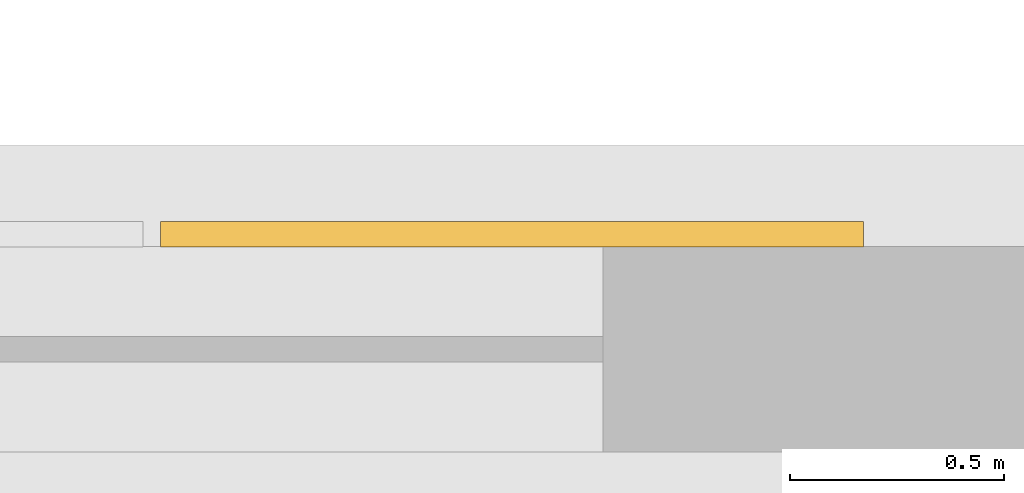
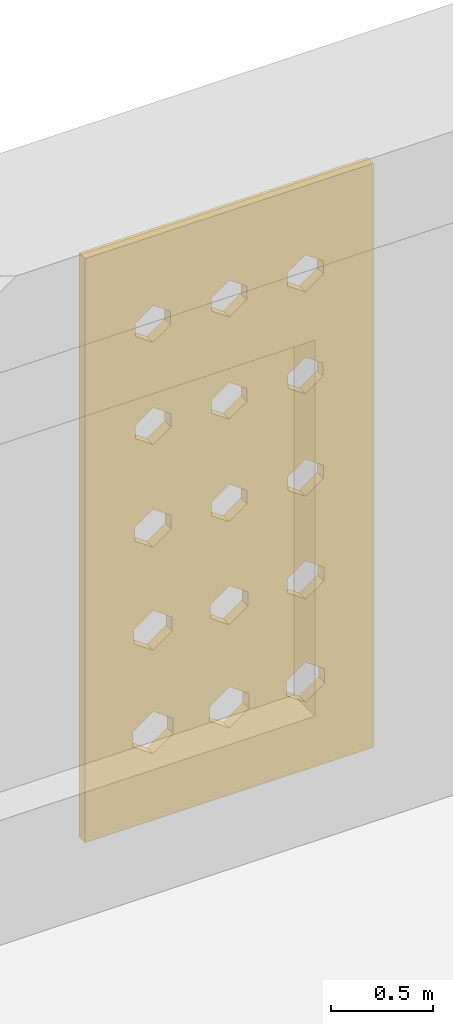
# One storey, part 120 of 121: 1 covering.
"""IFC4 building model written with IfcOpenShell, lengths in metres."""

from ifc_helpers import new_model, si_unit, derived_unit, direction, frame, origin, place, context, subcontext, project, spatial, polyline, outline, extrude, material, layer, layer_set, type_object, element, save


model = new_model("IFC4")

# Units and contexts
model_context = context("Model", 3, precision=1e-05, world=origin(), true_north=direction((0.0, 1.0)))
body_context = subcontext(model_context, "Body", "Model", "MODEL_VIEW")
ifc_project = project(units=[si_unit("LENGTHUNIT", "METRE"), si_unit("AREAUNIT", "SQUARE_METRE"), si_unit("VOLUMEUNIT", "CUBIC_METRE"), si_unit("PLANEANGLEUNIT", "RADIAN"), si_unit("MASSUNIT", "GRAM", prefix="KILO"), derived_unit("THERMALTRANSMITTANCEUNIT", [(si_unit("POWERUNIT", "WATT"), 1), (si_unit("LENGTHUNIT", "METRE"), -2), (si_unit("THERMODYNAMICTEMPERATUREUNIT", "KELVIN"), -1)])], contexts=[model_context])

# Site, building, storey
site_placement = place(None, origin())
site = spatial("IfcSite", under=ifc_project, at=site_placement, CompositionType="ELEMENT")
building_placement = place(site_placement, origin())
building = spatial("IfcBuilding", under=site, at=building_placement, Name="Veybourne Emporium", CompositionType="ELEMENT")
storey_placement = place(building_placement, frame((0.0, 0.0, 5.39990234375)))
storey = spatial("IfcBuildingStorey", under=building, at=storey_placement, Name="L01", CompositionType="ELEMENT", Elevation=5.39990234375)

# Covering
ifc_material = material(Name="Warm-White Perforated Aluminium Screen Alloy", Category="aluminium")
ifc_layer = layer(ifc_material, 0.06005859375)
ifc_layer_set = layer_set([ifc_layer], Name="Warm-White Perforated Aluminium Screen Alloy")
covering_type = type_object("IfcCoveringType", Name="WaveScreen_SCR-02", PredefinedType="CLADDING", material=ifc_layer_set)
covering_placement = place(storey_placement, frame((166.3076171875, 21.89794921875, 1.815185546875), z_axis=(0.0, -1.0, 0.0), x_axis=(1.0, 0.0, 0.0)))
element("IfcCovering", 1, at=covering_placement, inside=storey, type_object=covering_type, Name="L01 wave-perforated aluminium screen SCR-02 (80.4)", PredefinedType="CLADDING", context=body_context, shape_type="SweptSolid", body=[
    extrude(outline(polyline([(-0.81982421875, -1.7548828125), (0.81982421875, -1.7548828125), (0.81982421875, 1.7548828125), (-0.81982421875, 1.7548828125), (-0.81982421875, -1.7548828125)]), holes=[polyline([(-0.433349609375, -1.100830078125), (-0.319091796875, -1.18212890625), (-0.319091796875, -1.273681640625), (-0.433349609375, -1.355224609375), (-0.54736328125, -1.273681640625), (-0.54736328125, -1.18212890625), (-0.433349609375, -1.100830078125)]), polyline([(-0.433349609375, -0.494384765625), (-0.325439453125, -0.571044921875), (-0.325439453125, -0.656982421875), (-0.433349609375, -0.733642578125), (-0.541259765625, -0.656982421875), (-0.541259765625, -0.571044921875), (-0.433349609375, -0.494384765625)]), polyline([(-0.433349609375, 0.114013671875), (-0.330078125, 0.041015625), (-0.330078125, -0.041015625), (-0.433349609375, -0.114013671875), (-0.53662109375, -0.041015625), (-0.53662109375, 0.041015625), (-0.433349609375, 0.114013671875)]), polyline([(-0.433349609375, 0.724853515625), (-0.33251953125, 0.65380859375), (-0.33251953125, 0.57421875), (-0.433349609375, 0.503173828125), (-0.533935546875, 0.57421875), (-0.533935546875, 0.65380859375), (-0.433349609375, 0.724853515625)]), polyline([(-0.433349609375, 1.337890625), (-0.333251953125, 1.267578125), (-0.333251953125, 1.1884765625), (-0.433349609375, 1.117919921875), (-0.533447265625, 1.1884765625), (-0.533447265625, 1.267578125), (-0.433349609375, 1.337890625)]), polyline([(0.0, -1.1044921875), (0.111083984375, -1.18359375), (0.111083984375, -1.2724609375), (0.0, -1.3515625), (-0.111083984375, -1.2724609375), (-0.111083984375, -1.18359375), (0.0, -1.1044921875)]), polyline([(0.0, -0.497314453125), (0.105712890625, -0.572021484375), (0.105712890625, -0.656005859375), (0.0, -0.730712890625), (-0.105712890625, -0.656005859375), (-0.105712890625, -0.572021484375), (0.0, -0.497314453125)]), polyline([(0.0, 0.1123046875), (0.101806640625, 0.040283203125), (0.101806640625, -0.040283203125), (0.0, -0.1123046875), (-0.101806640625, -0.040283203125), (-0.101806640625, 0.040283203125), (0.0, 0.1123046875)]), polyline([(0.0, 0.72412109375), (0.10009765625, 0.65380859375), (0.10009765625, 0.57421875), (0.0, 0.50390625), (-0.10009765625, 0.57421875), (-0.10009765625, 0.65380859375), (0.0, 0.72412109375)]), polyline([(0.0, 1.33837890625), (0.100341796875, 1.267822265625), (0.100341796875, 1.188232421875), (0.0, 1.117431640625), (-0.100341796875, 1.188232421875), (-0.100341796875, 1.267822265625), (0.0, 1.33837890625)]), polyline([(0.433349609375, -1.10791015625), (0.541748046875, -1.184814453125), (0.541748046875, -1.271240234375), (0.433349609375, -1.34814453125), (0.324951171875, -1.271240234375), (0.324951171875, -1.184814453125), (0.433349609375, -1.10791015625)]), polyline([(0.433349609375, -0.49951171875), (0.537109375, -0.57275390625), (0.537109375, -0.6552734375), (0.433349609375, -0.728515625), (0.32958984375, -0.6552734375), (0.32958984375, -0.57275390625), (0.433349609375, -0.49951171875)]), polyline([(0.433349609375, 0.111083984375), (0.5341796875, 0.0400390625), (0.5341796875, -0.0400390625), (0.433349609375, -0.111083984375), (0.33251953125, -0.0400390625), (0.33251953125, 0.0400390625), (0.433349609375, 0.111083984375)]), polyline([(0.433349609375, 0.72412109375), (0.533203125, 0.653564453125), (0.533203125, 0.574462890625), (0.433349609375, 0.50390625), (0.333251953125, 0.574462890625), (0.333251953125, 0.653564453125), (0.433349609375, 0.72412109375)]), polyline([(0.433349609375, 1.33935546875), (0.534423828125, 1.26806640625), (0.534423828125, 1.18798828125), (0.433349609375, 1.11669921875), (0.332275390625, 1.18798828125), (0.332275390625, 1.26806640625), (0.433349609375, 1.33935546875)])]), origin(), (0.0, 0.0, 1.0), 0.06005859375),
])

save(model, "model.ifc")
